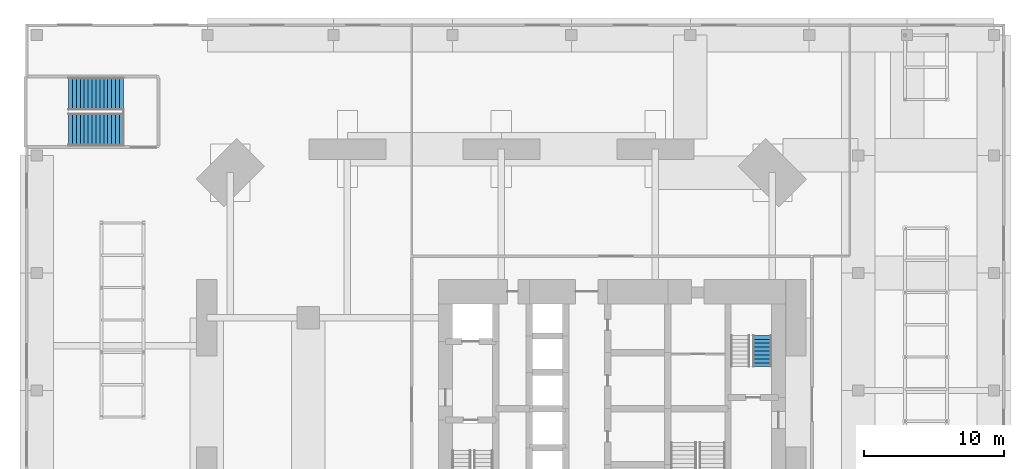
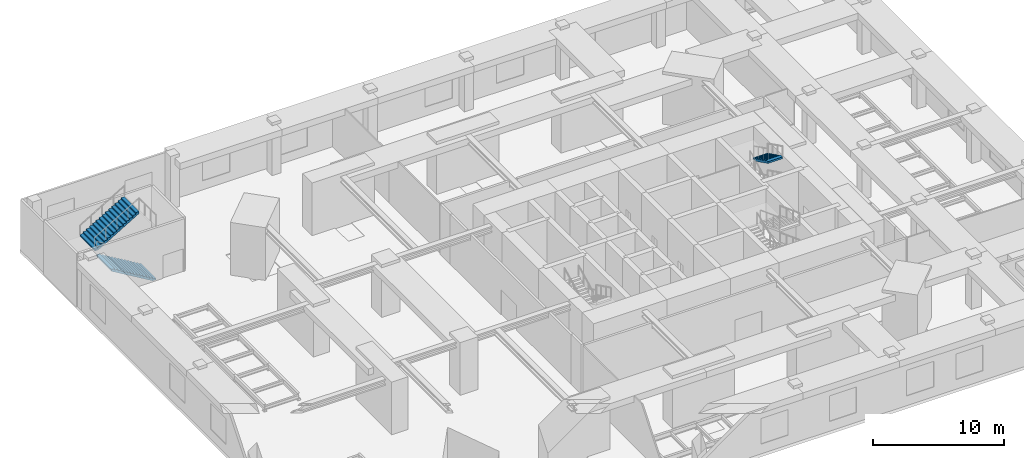
# One storey, part 15 of 17: 3 stair flights, 2 elements without a shape of their own.
"""IFC4 building model written with IfcOpenShell, lengths in metres."""

from ifc_helpers import new_model, si_unit, direction, frame, origin, place, context, subcontext, project, spatial, polyline, outline, extrude, material, type_object, element, aggregate, save


model = new_model("IFC4")

# Units and contexts
model_context = context("Model", 3, precision=1e-05, world=origin(), true_north=direction((0.0, 1.0)))
body_context = subcontext(model_context, "Body", "Model", "MODEL_VIEW")
ifc_project = project(units=[si_unit("LENGTHUNIT", "METRE"), si_unit("AREAUNIT", "SQUARE_METRE"), si_unit("VOLUMEUNIT", "CUBIC_METRE"), si_unit("PLANEANGLEUNIT", "RADIAN"), si_unit("MASSUNIT", "GRAM", prefix="KILO")], contexts=[model_context])

# Site, building, storey
site_placement = place(None, origin())
site = spatial("IfcSite", under=ifc_project, at=site_placement, CompositionType="ELEMENT")
building_placement = place(site_placement, origin())
building = spatial("IfcBuilding", under=site, at=building_placement, Name="Jalousie Tower", CompositionType="ELEMENT")
storey_placement = place(building_placement, frame((0.0, 0.0, 16.0)))
storey = spatial("IfcBuildingStorey", under=building, at=storey_placement, Name="L03", CompositionType="ELEMENT", Elevation=16.0)

# Stair, stair flight
ifc_material_1 = material(Name="Concrete f'c 40 MPa", Category="concrete")
stair_type_1 = type_object("IfcStairType", Name="EXIT STAIR", PredefinedType="HALF_TURN_STAIR", material=ifc_material_1)
stair_1_placement = place(storey_placement, origin())
stair_1 = element("IfcStair", 1, at=stair_1_placement, inside=storey, type_object=stair_type_1, Name="Exit stair B L03", PredefinedType="HALF_TURN_STAIR")
ifc_material_2 = material(Name="Concrete f'c 40 MPa", Category="concrete")
stair_flight_type_1 = type_object("IfcStairFlightType", Name="STAIR FLIGHT", PredefinedType="STRAIGHT", material=ifc_material_2)
stair_flight_1_placement = place(storey_placement, frame((42.643798828125, 23.742431640625, 3.75), z_axis=(0.0, 0.0, 1.0), x_axis=(0.0, -1.0, 0.0)))
stair_flight_1 = element("IfcStairFlight", 2, at=stair_flight_1_placement, type_object=stair_flight_type_1, Name="ST-B flight 4", NumberOfRisers=9, NumberOfTreads=8, PredefinedType="STRAIGHT", RiserHeight=0.138888889, TreadLength=0.28, context=body_context, shape_type="SweptSolid", body=[
    extrude(outline(polyline([(0.0, 0.0), (0.0, 0.138916015625), (0.280029296875, 0.138916015625), (0.280029296875, 0.27783203125), (0.56005859375, 0.27783203125), (0.56005859375, 0.416748046875), (0.840087890625, 0.416748046875), (0.840087890625, 0.5556640625), (1.1201171875, 0.5556640625), (1.1201171875, 0.6943359375), (1.39990234375, 0.6943359375), (1.39990234375, 0.833251953125), (1.679931640625, 0.833251953125), (1.679931640625, 0.97216796875), (1.9599609375, 0.97216796875), (1.9599609375, 1.111083984375), (2.239990234375, 1.111083984375), (2.239990234375, 1.25), (2.239990234375, 0.94384765625), (0.33740234375, 0.0), (0.0, 0.0)])), frame((0.0, 0.65625, 0.0), z_axis=(0.0, -1.0, 0.0), x_axis=(1.0, 0.0, 0.0)), (0.0, 0.0, 1.0), 1.3125),
])
aggregate(stair_1, [stair_flight_1])

# Stair, stair flights
ifc_material_3 = material(Name="Concrete f'c 40 MPa", Category="concrete")
stair_type_2 = type_object("IfcStairType", Name="WIDE EXIT STAIR", PredefinedType="HALF_TURN_STAIR", material=ifc_material_3)
stair_2_placement = place(storey_placement, origin())
stair_2 = element("IfcStair", 3, at=stair_2_placement, inside=storey, type_object=stair_type_2, Name="Exit stair PS1 L03", PredefinedType="HALF_TURN_STAIR")
ifc_material_4 = material(Name="Concrete f'c 40 MPa", Category="concrete")
stair_flight_type_2 = type_object("IfcStairFlightType", Name="WIDE STAIR FLIGHT", PredefinedType="STRAIGHT", material=ifc_material_4)
stair_flight_2_placement = place(storey_placement, frame((-3.010009765625, 38.449951171875, 0.0), z_axis=(0.0, 0.0, 1.0), x_axis=(-1.0, 0.0, 0.0)))
stair_flight_2 = element("IfcStairFlight", 4, at=stair_flight_2_placement, type_object=stair_flight_type_2, Name="PS1 flight 1", NumberOfRisers=15, NumberOfTreads=14, PredefinedType="STRAIGHT", RiserHeight=0.166666667, TreadLength=0.28, context=body_context, shape_type="SweptSolid", body=[
    extrude(outline(polyline([(0.0, 0.0), (0.0, 0.166748046875), (0.280029296875, 0.166748046875), (0.280029296875, 0.333251953125), (0.56005859375, 0.333251953125), (0.56005859375, 0.5), (0.840087890625, 0.5), (0.840087890625, 0.666748046875), (1.1201171875, 0.666748046875), (1.1201171875, 0.833251953125), (1.39990234375, 0.833251953125), (1.39990234375, 1.0), (1.679931640625, 1.0), (1.679931640625, 1.166748046875), (1.9599609375, 1.166748046875), (1.9599609375, 1.333251953125), (2.239990234375, 1.333251953125), (2.239990234375, 1.5), (2.52001953125, 1.5), (2.52001953125, 1.666748046875), (2.800048828125, 1.666748046875), (2.800048828125, 1.833251953125), (3.080078125, 1.833251953125), (3.080078125, 2.0), (3.360107421875, 2.0), (3.360107421875, 2.166748046875), (3.639892578125, 2.166748046875), (3.639892578125, 2.333251953125), (3.919921875, 2.333251953125), (3.919921875, 2.5), (3.919921875, 2.158935546875), (0.29296875, 0.0), (0.0, 0.0)])), frame((0.0, 1.14990234375, 0.0), z_axis=(0.0, -1.0, 0.0), x_axis=(1.0, 0.0, 0.0)), (0.0, 0.0, 1.0), 2.300048828125),
])
stair_flight_3_placement = place(storey_placement, frame((-6.929931640625, 41.0, 2.5), z_axis=(0.0, 0.0, 1.0), x_axis=(1.0, 0.0, 0.0)))
stair_flight_3 = element("IfcStairFlight", 5, at=stair_flight_3_placement, type_object=stair_flight_type_2, Name="PS1 flight 2", NumberOfRisers=15, NumberOfTreads=14, PredefinedType="STRAIGHT", RiserHeight=0.166666667, TreadLength=0.28, context=body_context, shape_type="SweptSolid", body=[
    extrude(outline(polyline([(0.0, 0.0), (0.0, 0.166748046875), (0.280029296875, 0.166748046875), (0.280029296875, 0.333251953125), (0.56005859375, 0.333251953125), (0.56005859375, 0.5), (0.840087890625, 0.5), (0.840087890625, 0.666748046875), (1.1201171875, 0.666748046875), (1.1201171875, 0.833251953125), (1.39990234375, 0.833251953125), (1.39990234375, 1.0), (1.679931640625, 1.0), (1.679931640625, 1.166748046875), (1.9599609375, 1.166748046875), (1.9599609375, 1.333251953125), (2.239990234375, 1.333251953125), (2.239990234375, 1.5), (2.52001953125, 1.5), (2.52001953125, 1.666748046875), (2.800048828125, 1.666748046875), (2.800048828125, 1.833251953125), (3.080078125, 1.833251953125), (3.080078125, 2.0), (3.360107421875, 2.0), (3.360107421875, 2.166748046875), (3.639892578125, 2.166748046875), (3.639892578125, 2.333251953125), (3.919921875, 2.333251953125), (3.919921875, 2.5), (3.919921875, 2.158935546875), (0.29296875, 0.0), (0.0, 0.0)])), frame((0.0, 1.14990234375, 0.0), z_axis=(0.0, -1.0, 0.0), x_axis=(1.0, 0.0, 0.0)), (0.0, 0.0, 1.0), 2.300048828125),
])
aggregate(stair_2, [stair_flight_2, stair_flight_3])

save(model, "model.ifc")
